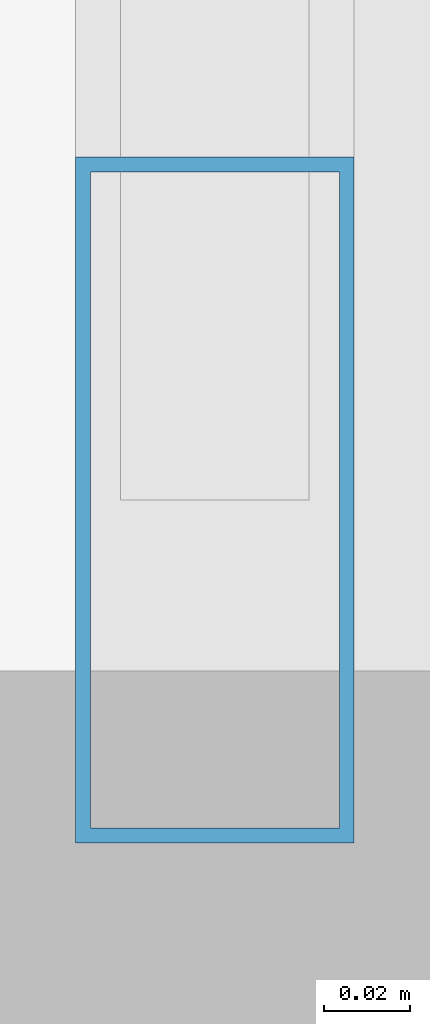
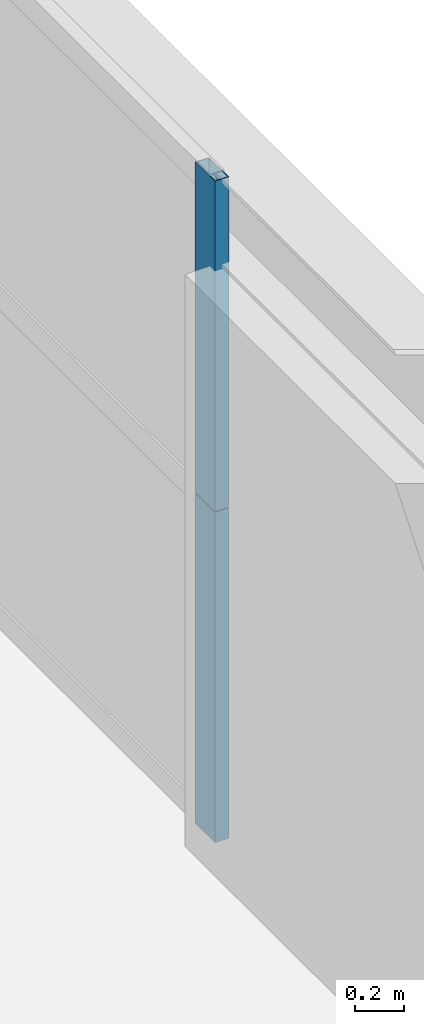
# One storey, part 17 of 37: 2 members, 1 element without a shape of its own.
"""IFC4 building model written with IfcOpenShell, lengths in metres."""

from ifc_helpers import new_model, si_unit, direction, frame, origin, origin_2d, place, context, subcontext, project, spatial, hollow_rectangle, extrude, source, transform, mapped, material, layer, layer_set, material_profile, profile_set, type_object, element, aggregate, save


model = new_model("IFC4")

# Units and contexts
model_context = context("Model", 3, precision=1e-05, world=origin(), true_north=direction((0.0, 1.0)))
body_context = subcontext(model_context, "Body", "Model", "MODEL_VIEW")
ifc_project = project(units=[si_unit("LENGTHUNIT", "METRE"), si_unit("AREAUNIT", "SQUARE_METRE"), si_unit("VOLUMEUNIT", "CUBIC_METRE"), si_unit("PLANEANGLEUNIT", "RADIAN"), si_unit("MASSUNIT", "GRAM", prefix="KILO"), si_unit("THERMODYNAMICTEMPERATUREUNIT", "KELVIN"), si_unit("POWERUNIT", "WATT")], contexts=[model_context])

# Site, building, storey
site_placement = place(None, origin())
site = spatial("IfcSite", under=ifc_project, at=site_placement, CompositionType="ELEMENT")
building_placement = place(site_placement, origin())
building = spatial("IfcBuilding", under=site, at=building_placement, Name="Yuzanri Waterfront Tower", CompositionType="ELEMENT")
storey_placement = place(building_placement, frame((0.0, 0.0, 278.60009765625)))
storey = spatial("IfcBuildingStorey", under=building, at=storey_placement, Name="L74", CompositionType="ELEMENT", Elevation=278.60009765625)

# Curtain wall, members
ifc_material_1 = material(Name="Anodized Architectural Bronze", Category="metal")
ifc_layer = layer(ifc_material_1, 0.159912109375)
ifc_layer_set = layer_set([ifc_layer], Name="Anodized Architectural Bronze")
curtain_wall_type = type_object("IfcCurtainWallType", Name="Anodized Bronze Mid-Rise Residential Acoustic Unitized Curtain Wall 7200", PredefinedType="NOTDEFINED", material=ifc_layer_set)
curtain_wall_placement = place(storey_placement, origin())
curtain_wall = element("IfcCurtainWall", 1, at=curtain_wall_placement, inside=storey, type_object=curtain_wall_type, Name="L74 Curtain Wall CW-L74-EL1", PredefinedType="NOTDEFINED")
ifc_material_2 = material(Name="Anodized Architectural Bronze", Category="metal")
ifc_material_profile = material_profile(ifc_material_2, hollow_rectangle(XDim=0.06494140625, YDim=0.159912109375, WallThickness=0.00341796875, at=origin_2d()), Name="CWM 65x160")
ifc_profile_set = profile_set([ifc_material_profile], Name="Anodized Architectural Bronze")
member_type = type_object("IfcMemberType", Name="Anodized Bronze Upper-Zone Curtain-Wall Mullion 65x160", PredefinedType="MULLION", material=ifc_profile_set)
shared_shape = source(origin(), body_context, "Body", "SweptSolid", [
    extrude(hollow_rectangle(XDim=0.06494140625, YDim=0.159912109375, WallThickness=0.00341796875, at=origin_2d()), origin(), (0.0, 0.0, 1.0), 1.637939453125),
])
member_1_placement = place(storey_placement, frame((57.449951171875, 12.590087890625, 0.0), z_axis=(0.0, 0.0, 1.0), x_axis=(1.0, 0.0, 0.0)))
member_1 = element("IfcMember", 2, at=member_1_placement, type_object=member_type, Name="CW-L74-EL1 Lower Mullion 00", PredefinedType="MULLION", context=body_context, shape_type="MappedRepresentation", body=[
    mapped(shared_shape, transform((0.0, 0.0, 0.0), scale=1.0)),
])
member_2_placement = place(storey_placement, frame((57.449951171875, 12.590087890625, 1.641845703125), z_axis=(0.0, 0.0, 1.0), x_axis=(1.0, 0.0, 0.0)))
member_2 = element("IfcMember", 3, at=member_2_placement, type_object=member_type, Name="CW-L74-EL1 Upper Mullion 00", PredefinedType="MULLION", context=body_context, shape_type="MappedRepresentation", body=[
    mapped(shared_shape, transform((0.0, 0.0, 0.0), scale=1.0)),
])
aggregate(curtain_wall, [member_1, member_2])

save(model, "model.ifc")
